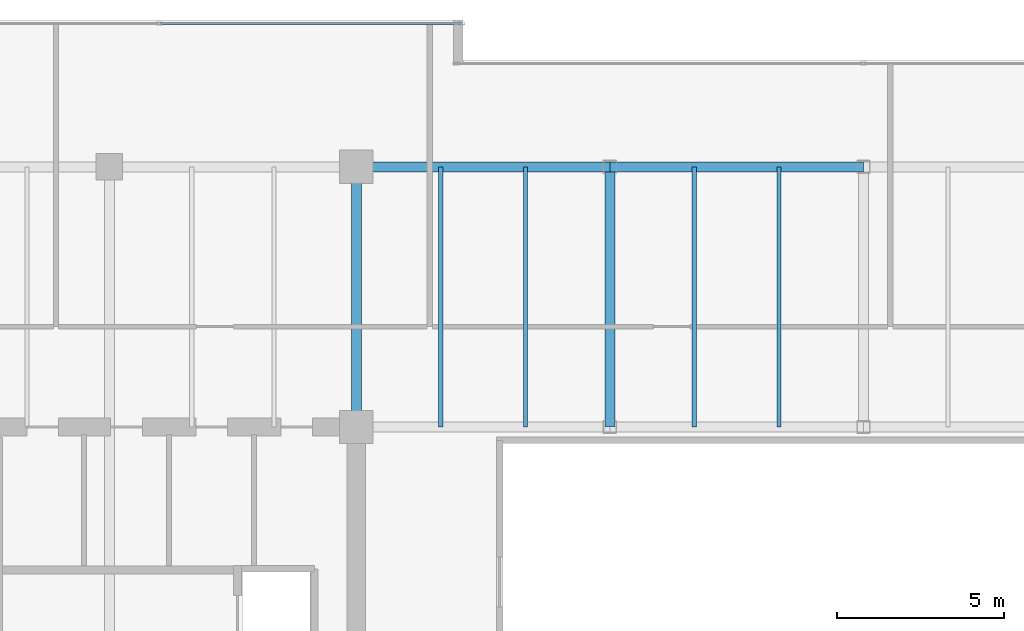
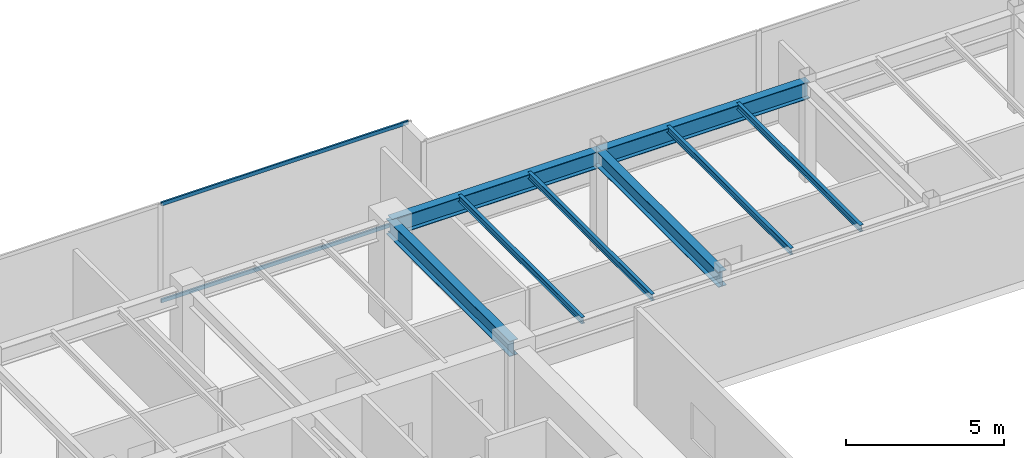
# One storey, part 16 of 33: 8 beams, 2 members, 1 element without a shape of its own.
"""IFC4 building model written with IfcOpenShell, lengths in metres."""

from ifc_helpers import new_model, si_unit, direction, frame, origin, origin_2d, place, context, subcontext, project, spatial, hollow_rectangle, i_section, extrude, source, transform, mapped, material, layer, layer_set, material_profile, profile_set, type_object, type_shapes, element, aggregate, save


model = new_model("IFC4")

# Units and contexts
model_context = context("Model", 3, precision=1e-05, world=origin(), true_north=direction((0.0, 1.0)))
body_context = subcontext(model_context, "Body", "Model", "MODEL_VIEW")
ifc_project = project(units=[si_unit("LENGTHUNIT", "METRE"), si_unit("AREAUNIT", "SQUARE_METRE"), si_unit("VOLUMEUNIT", "CUBIC_METRE"), si_unit("PLANEANGLEUNIT", "RADIAN"), si_unit("MASSUNIT", "GRAM", prefix="KILO")], contexts=[model_context])

# Site, building, storey
site_placement = place(None, origin())
site = spatial("IfcSite", under=ifc_project, at=site_placement, CompositionType="ELEMENT")
building_placement = place(site_placement, origin())
building = spatial("IfcBuilding", under=site, at=building_placement, Name="Haelvirn Gate Laboratories", CompositionType="ELEMENT")
storey_placement = place(building_placement, frame((0.0, 0.0, 258.800048828125)))
storey = spatial("IfcBuildingStorey", under=building, at=storey_placement, Name="L62", CompositionType="ELEMENT", Elevation=258.800048828125)

# Beams
ifc_material_1 = material(Name="Steel SM355", Category="steel")
ifc_material_profile_1 = material_profile(ifc_material_1, i_section(OverallWidth=0.300048828125, OverallDepth=0.587890625, WebThickness=0.011962890625, FlangeThickness=0.02001953125, at=origin_2d()), Name="H-588x300x12x20")
ifc_profile_set_1 = profile_set([ifc_material_profile_1], Name="Steel SM355")
beam_type_1 = type_object("IfcBeamType", Name="BM-G-588", PredefinedType="BEAM", material=ifc_profile_set_1)
shared_shape_1 = source(origin(), body_context, "Body", "SweptSolid", [
    extrude(i_section(OverallWidth=0.300048828125, OverallDepth=0.587890625, WebThickness=0.011962890625, FlangeThickness=0.02001953125, at=origin_2d()), origin(), (0.0, 0.0, 1.0), 7.800048828125),
])
type_shapes(beam_type_1, [shared_shape_1])
for number, where, z_axis, x_axis, name in (
    (1, (22.199951171875, 33.800048828125, 3.505859375), (0.0, 1.0, 0.0), (-1.0, 0.0, 0.0), "L62 Frame Girder X22.2 (33.8-41.6)"),
    (2, (29.800048828125, 33.800048828125, 3.505859375), (0.0, 1.0, 0.0), (-1.0, 0.0, 0.0), "L62 Frame Girder X29.8 (33.8-41.6)"),
):
    element("IfcBeam", number, at=place(storey_placement, frame(where, z_axis=z_axis, x_axis=x_axis)), inside=storey, type_object=beam_type_1, Name=name, PredefinedType="BEAM", context=body_context, shape_type="MappedRepresentation", body=[
        mapped(shared_shape_1, transform((0.0, 0.0, 0.0), scale=1.0)),
    ])
ifc_material_profile_2 = material_profile(ifc_material_1, i_section(OverallWidth=0.300048828125, OverallDepth=0.64990234375, WebThickness=0.012939453125, FlangeThickness=0.02197265625, at=origin_2d()), Name="H-650x300x13x22")
ifc_profile_set_2 = profile_set([ifc_material_profile_2], Name="Steel SM355")
beam_type_2 = type_object("IfcBeamType", Name="BM-G-650", PredefinedType="BEAM", material=ifc_profile_set_2)
shared_shape_2 = source(origin(), body_context, "Body", "SweptSolid", [
    extrude(i_section(OverallWidth=0.300048828125, OverallDepth=0.64990234375, WebThickness=0.012939453125, FlangeThickness=0.02197265625, at=origin_2d()), origin(), (0.0, 0.0, 1.0), 7.60009765625),
])
beam_1_placement = place(storey_placement, frame((22.199951171875, 41.60009765625, 3.474853515625), z_axis=(1.0, 0.0, 0.0), x_axis=(0.0, 1.0, 0.0)))
element("IfcBeam", 3, at=beam_1_placement, inside=storey, type_object=beam_type_2, Name="L62 Primary Girder Y41.6 (22.2-29.8)", PredefinedType="BEAM", context=body_context, shape_type="MappedRepresentation", body=[
    mapped(shared_shape_2, transform((0.0, 0.0, 0.0), scale=1.0)),
])
shared_shape_3 = source(origin(), body_context, "Body", "SweptSolid", [
    extrude(i_section(OverallWidth=0.300048828125, OverallDepth=0.64990234375, WebThickness=0.012939453125, FlangeThickness=0.02197265625, at=origin_2d()), origin(), (0.0, 0.0, 1.0), 7.599853515625),
])
type_shapes(beam_type_2, [shared_shape_2, shared_shape_3])
beam_2_placement = place(storey_placement, frame((29.800048828125, 41.60009765625, 3.474853515625), z_axis=(1.0, 0.0, 0.0), x_axis=(0.0, 1.0, 0.0)))
element("IfcBeam", 4, at=beam_2_placement, inside=storey, type_object=beam_type_2, Name="L62 Primary Girder Y41.6 (29.8-37.4)", PredefinedType="BEAM", context=body_context, shape_type="MappedRepresentation", body=[
    mapped(shared_shape_3, transform((0.0, 0.0, 0.0), scale=1.0)),
])
ifc_material_profile_3 = material_profile(ifc_material_1, i_section(OverallWidth=0.125, OverallDepth=0.25, WebThickness=0.006103515625, FlangeThickness=0.009033203125, at=origin_2d()), Name="H-250x125x6x9")
ifc_profile_set_3 = profile_set([ifc_material_profile_3], Name="Steel SM355")
beam_type_3 = type_object("IfcBeamType", Name="BM-J-250", PredefinedType="JOIST", material=ifc_profile_set_3)
shared_shape_4 = source(origin(), body_context, "Body", "SweptSolid", [
    extrude(i_section(OverallWidth=0.125, OverallDepth=0.25, WebThickness=0.006103515625, FlangeThickness=0.009033203125, at=origin_2d()), origin(), (0.0, 0.0, 1.0), 7.800048828125),
])
type_shapes(beam_type_3, [shared_shape_4])
for number, where, z_axis, x_axis, name in (
    (5, (24.72998046875, 33.800048828125, 3.675048828125), (0.0, 1.0, 0.0), (-1.0, 0.0, 0.0), "L62 Composite Lab Joist North X24.73"),
    (6, (27.27001953125, 33.800048828125, 3.675048828125), (0.0, 1.0, 0.0), (-1.0, 0.0, 0.0), "L62 Composite Lab Joist North X27.27"),
    (7, (32.330078125, 33.800048828125, 3.675048828125), (0.0, 1.0, 0.0), (-1.0, 0.0, 0.0), "L62 Composite Lab Joist North X32.33"),
    (8, (34.8701171875, 33.800048828125, 3.675048828125), (0.0, 1.0, 0.0), (-1.0, 0.0, 0.0), "L62 Composite Lab Joist North X34.87"),
):
    element("IfcBeam", number, at=place(storey_placement, frame(where, z_axis=z_axis, x_axis=x_axis)), inside=storey, type_object=beam_type_3, Name=name, PredefinedType="JOIST", context=body_context, shape_type="MappedRepresentation", body=[
        mapped(shared_shape_4, transform((0.0, 0.0, 0.0), scale=1.0)),
    ])

# Curtain wall, members
ifc_material_2 = material(Name="Anodised bronze unitised aluminium & triple low-E glass", Category="aluminium")
ifc_layer = layer(ifc_material_2, 0.176025390625, Name="CW-SYS-4")
ifc_layer_set = layer_set([ifc_layer], Name="Anodised bronze unitised aluminium & triple low-E glass")
curtain_wall_type = type_object("IfcCurtainWallType", Name="CW-SYS-4", PredefinedType="NOTDEFINED", material=ifc_layer_set)
curtain_wall_placement = place(storey_placement, origin())
curtain_wall = element("IfcCurtainWall", 9, at=curtain_wall_placement, inside=storey, type_object=curtain_wall_type, Name="L62 Unitised Curtain Wall CW-L62-P0-E14-1", PredefinedType="NOTDEFINED")
ifc_material_3 = material(Name="Extruded aluminium 6063-T6 (anodised bronze)", Category="aluminium")
ifc_material_profile_4 = material_profile(ifc_material_3, hollow_rectangle(XDim=0.06494140625, YDim=0.139892578125, WallThickness=0.00390625, at=origin_2d()), Name="CWT-140x65x4")
ifc_profile_set_4 = profile_set([ifc_material_profile_4], Name="Extruded aluminium 6063-T6 (anodised bronze)")
member_type = type_object("IfcMemberType", Name="CWT-T140", PredefinedType="USERDEFINED", material=ifc_profile_set_4)
shared_shape_5 = source(origin(), body_context, "Body", "SweptSolid", [
    extrude(hollow_rectangle(XDim=0.06494140625, YDim=0.139892578125, WallThickness=0.00390625, at=origin_2d()), origin(), (0.0, 0.0, 1.0), 8.9951171875),
])
type_shapes(member_type, [shared_shape_5])
member_1_placement = place(storey_placement, frame((16.3349609375, 45.89990234375, 0.032470703125), z_axis=(1.0, 0.0, 0.0), x_axis=(0.0, 1.0, 0.0)))
member_1 = element("IfcMember", 10, at=member_1_placement, type_object=member_type, Name="CW4 transom 2.1", ObjectType="TRANSOM", PredefinedType="USERDEFINED", context=body_context, shape_type="MappedRepresentation", body=[
    mapped(shared_shape_5, transform((0.0, 0.0, 0.0), scale=1.0)),
])
member_2_placement = place(storey_placement, frame((16.3349609375, 45.89990234375, 3.767333984375), z_axis=(1.0, 0.0, 0.0), x_axis=(0.0, 1.0, 0.0)))
member_2 = element("IfcMember", 11, at=member_2_placement, type_object=member_type, Name="CW4 transom 2.2", ObjectType="TRANSOM", PredefinedType="USERDEFINED", context=body_context, shape_type="MappedRepresentation", body=[
    mapped(shared_shape_5, transform((0.0, 0.0, 0.0), scale=1.0)),
])
aggregate(curtain_wall, [member_1, member_2])

save(model, "model.ifc")
